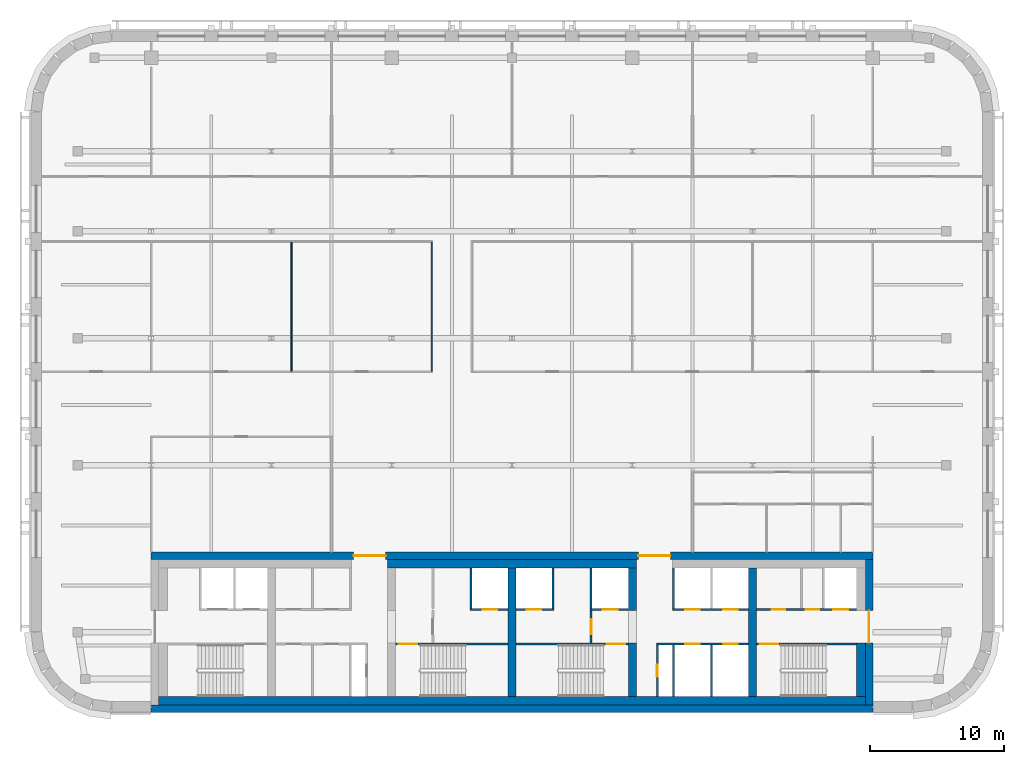
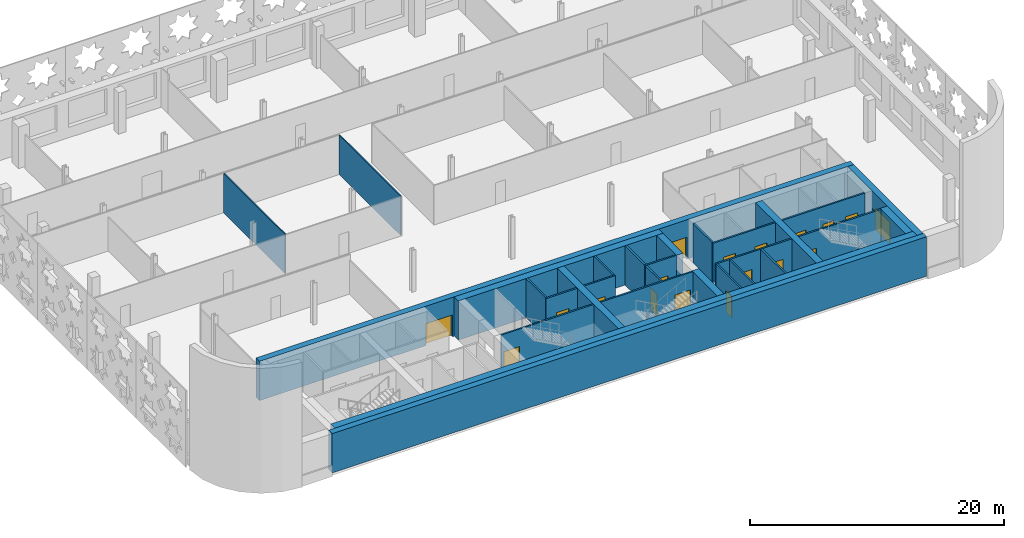
# One storey, part 7 of 16: 29 walls, 18 doors, 18 openings.
"""IFC4 building model written with IfcOpenShell, lengths in metres."""

import ifcopenshell
import ifcopenshell.guid

model = None  # the IFC model being written
_history = None  # IfcOwnerHistory: only IFC2X3 demands one
_inside = {}  # id of a spatial element -> (the spatial element, [elements in it])
_under = {}  # id of a project, library or spatial element -> (it, [spatial elements below it])
_declared = {}  # id of a project -> (the project, [libraries it declares])
_typed = {}  # id of a type object -> (the type object, [elements of that type])
_made_of = {}  # id of a material, layer set ... -> (it, [elements and type objects made of it])


def new_model(schema):
    """Start an empty IFC model of exactly this schema.

    Asked for "IFC4X3", IfcOpenShell would pick the latest addendum, in which some entities
    have other attributes; the version numbers below select the first issue.
    IFC2X3 requires an IfcOwnerHistory on every rooted entity: one is made here for all.
    """
    global model, _history
    if schema == "IFC4X3":
        model = ifcopenshell.file(schema_version=(4, 3, 0, 0))
    else:
        model = ifcopenshell.file(schema=schema)
    _inside.clear()
    _under.clear()
    _declared.clear()
    _typed.clear()
    _made_of.clear()
    _history = None
    if model.schema == "IFC2X3":
        org = make("IfcOrganization", Name="unknown")
        user = make(
            "IfcPersonAndOrganization",
            ThePerson=make("IfcPerson", FamilyName="unknown"),
            TheOrganization=org,
        )
        app = make(
            "IfcApplication",
            ApplicationDeveloper=org,
            Version="unknown",
            ApplicationFullName="unknown",
            ApplicationIdentifier="unknown",
        )
        _history = make(
            "IfcOwnerHistory",
            OwningUser=user,
            OwningApplication=app,
            ChangeAction="ADDED",
            CreationDate=0,
        )
    return model


def make(cls, **values):
    """One entity of the class cls with the attributes given. An attribute that is None is left unset."""
    return model.create_entity(
        cls, **{name: value for name, value in values.items() if value is not None}
    )


def rooted(cls, **values):
    """An entity with a GlobalId (a new one), such as an element, a storey or a relation."""
    return make(cls, GlobalId=ifcopenshell.guid.new(), OwnerHistory=_history, **values)


def si_unit(unit_type, name, prefix=None):
    """IfcSIUnit, for example si_unit("LENGTHUNIT", "METRE", prefix="MILLI")."""
    return make("IfcSIUnit", UnitType=unit_type, Prefix=prefix, Name=name)


def assignment(units):
    """IfcUnitAssignment: the units of a project."""
    return None if units is None else make("IfcUnitAssignment", Units=units)


def point(xyz):
    """IfcCartesianPoint."""
    return None if xyz is None else make("IfcCartesianPoint", Coordinates=xyz)


def direction(xyz):
    """IfcDirection."""
    return None if xyz is None else make("IfcDirection", DirectionRatios=xyz)


def frame(location, z_axis=None, x_axis=None):
    """IfcAxis2Placement3D, a coordinate frame: its origin and axes. An axis left out is left unset."""
    return make(
        "IfcAxis2Placement3D",
        Location=point(location),
        Axis=direction(z_axis),
        RefDirection=direction(x_axis),
    )


def frame_2d(location, x_axis=None):
    """IfcAxis2Placement2D, a coordinate frame in the plane: its origin and x axis."""
    return make(
        "IfcAxis2Placement2D", Location=point(location), RefDirection=direction(x_axis)
    )


def origin():
    """The frame at (0, 0, 0) with its axes left unset."""
    return frame((0.0, 0.0, 0.0))


def place(relative_to, where):
    """IfcLocalPlacement: puts the frame where relative to a parent placement (None: the world)."""
    return make(
        "IfcLocalPlacement", PlacementRelTo=relative_to, RelativePlacement=where
    )


def context(
    kind, dimensions, precision=None, world=None, true_north=None, identifier=None
):
    """IfcGeometricRepresentationContext, for example the 3D "Model" context."""
    return make(
        "IfcGeometricRepresentationContext",
        ContextIdentifier=identifier,
        ContextType=kind,
        CoordinateSpaceDimension=dimensions,
        Precision=precision,
        WorldCoordinateSystem=world,
        TrueNorth=true_north,
    )


def subcontext(parent, identifier, kind, view, scale=None):
    """IfcGeometricRepresentationSubContext, for example "Body" below "Model"."""
    return make(
        "IfcGeometricRepresentationSubContext",
        ContextIdentifier=identifier,
        ContextType=kind,
        ParentContext=parent,
        TargetScale=scale,
        TargetView=view,
    )


def project(units=None, contexts=None):
    """IfcProject with its units and contexts."""
    return rooted(
        "IfcProject",
        Name="project",
        RepresentationContexts=contexts,
        UnitsInContext=assignment(units),
    )


def spatial(cls, under=None, at=None, **own):
    """A site, building, storey or space (cls), placed at a placement, below another one or the project."""
    s = rooted(cls, ObjectPlacement=at, **own)
    if under is not None:
        _under.setdefault(under.id(), (under, []))[1].append(s)
    return s


def profile(cls, at=None, kind="AREA", **sizes):
    """A parametric profile (cls). Its sizes go by their IFC names, for example OverallWidth=200.0."""
    return make(cls, ProfileType=kind, Position=at, **sizes)


def rectangle(**sizes):
    """IfcRectangleProfileDef."""
    return profile("IfcRectangleProfileDef", **sizes)


def extrude(swept, where, along, depth):
    """IfcExtrudedAreaSolid: the profile swept, set in the frame where, extruded along a direction by depth."""
    return make(
        "IfcExtrudedAreaSolid",
        SweptArea=swept,
        Position=where,
        ExtrudedDirection=direction(along),
        Depth=depth,
    )


def shape(context_of_items, identifier, shape_type, items):
    """IfcShapeRepresentation: the items that make up one representation, for example the "Body"."""
    return make(
        "IfcShapeRepresentation",
        ContextOfItems=context_of_items,
        RepresentationIdentifier=identifier,
        RepresentationType=shape_type,
        Items=items,
    )


def material(Name=None, Category=None):
    """IfcMaterial."""
    return make("IfcMaterial", Name=Name, Category=Category)


def layer(
    of_material, thickness, ventilated=None, Name=None, Category=None, Priority=None
):
    """IfcMaterialLayer: one layer of a wall or slab, of a material (None: an air gap)."""
    return make(
        "IfcMaterialLayer",
        Material=of_material,
        LayerThickness=thickness,
        IsVentilated=ventilated,
        Name=Name,
        Category=Category,
        Priority=Priority,
    )


def layer_set(layers, Name=None):
    """IfcMaterialLayerSet."""
    return make("IfcMaterialLayerSet", MaterialLayers=layers, LayerSetName=Name)


def made_of(thing, what):
    """Note that an element or type object is made of a material, layer set ...; save() writes the relation."""
    if what is not None:
        _made_of.setdefault(what.id(), (what, []))[1].append(thing)
    return thing


def type_object(cls, material=None, **own):
    """A type object (cls), such as IfcWallType, which elements share."""
    return made_of(rooted(cls, **own), material)


def element(
    cls,
    number,
    at=None,
    inside=None,
    cuts=None,
    type_object=None,
    material=None,
    context=None,
    identifier="Body",
    shape_type=None,
    held_by="IfcProductDefinitionShape",
    body=None,
    shapes=None,
    **own,
):
    """One element of the class cls, such as IfcWall. Its Tag is "e" and its number.

    at: its placement. inside: the storey or other place that contains it. cuts: it is an
    opening in that element (IfcRelVoidsElement). A single representation is given by context,
    identifier, shape_type and body (its items); several are given by shapes. held_by: the class
    of the entity that holds the representations. save() writes the other relations.
    """
    e = rooted(cls, Tag="e%d" % number, ObjectPlacement=at, **own)
    if body is not None:
        shapes = [shape(context, identifier, shape_type, body)]
    if shapes is not None:
        e.Representation = make(held_by, Representations=shapes)
    if inside is not None:
        _inside.setdefault(inside.id(), (inside, []))[1].append(e)
    if cuts is not None:
        rooted(
            "IfcRelVoidsElement", RelatingBuildingElement=cuts, RelatedOpeningElement=e
        )
    if type_object is not None:
        _typed.setdefault(type_object.id(), (type_object, []))[1].append(e)
    return made_of(e, material)


def fill(opening, filler):
    """IfcRelFillsElement: the door or window that sits in an opening."""
    return rooted(
        "IfcRelFillsElement",
        RelatingOpeningElement=opening,
        RelatedBuildingElement=filler,
    )


def aggregate(whole, parts):
    """IfcRelAggregates: a whole, such as a stair, and the parts it consists of."""
    return rooted("IfcRelAggregates", RelatingObject=whole, RelatedObjects=parts)


def save(model, path):
    """Write the relations noted so far, then the file.

    IfcRelAggregates (storeys below a building ...), IfcRelContainedInSpatialStructure (elements
    in a storey), IfcRelDefinesByType, IfcRelAssociatesMaterial and IfcRelDeclares: one each for
    every whole, place, type object, material and project.
    """
    for whole, parts in _under.values():
        aggregate(whole, parts)
    for where, things in _inside.values():
        rooted(
            "IfcRelContainedInSpatialStructure",
            RelatedElements=things,
            RelatingStructure=where,
        )
    for kind, things in _typed.values():
        rooted("IfcRelDefinesByType", RelatedObjects=things, RelatingType=kind)
    for what, things in _made_of.values():
        rooted("IfcRelAssociatesMaterial", RelatedObjects=things, RelatingMaterial=what)
    for by, libraries in _declared.values():
        rooted("IfcRelDeclares", RelatingContext=by, RelatedDefinitions=libraries)
    model.write(path)


model = new_model("IFC4")

# Units and contexts
model_context = context("Model", 3, precision=1e-05, world=origin(), true_north=direction((0.0, 1.0)))
body_context = subcontext(model_context, "Body", "Model", "MODEL_VIEW")
ifc_project = project(units=[si_unit("LENGTHUNIT", "METRE"), si_unit("AREAUNIT", "SQUARE_METRE"), si_unit("VOLUMEUNIT", "CUBIC_METRE"), si_unit("PLANEANGLEUNIT", "RADIAN"), si_unit("MASSUNIT", "GRAM", prefix="KILO")], contexts=[model_context])

# Site, building, storey
site_placement = place(None, origin())
site = spatial("IfcSite", under=ifc_project, at=site_placement, CompositionType="ELEMENT")
building_placement = place(site_placement, origin())
building = spatial("IfcBuilding", under=site, at=building_placement, Name="Zellij Exchange Tower", CompositionType="ELEMENT")
storey_placement = place(building_placement, frame((0.0, 0.0, 272.5)))
storey = spatial("IfcBuildingStorey", under=building, at=storey_placement, Name="L64", CompositionType="ELEMENT", Elevation=272.5)

# Walls
ifc_material_1 = material(Name="Concrete C50/60", Category="concrete")
ifc_layer_1 = layer(ifc_material_1, 0.60009765625)
ifc_layer_set_1 = layer_set([ifc_layer_1], Name="Concrete C50/60")
wall_type_1 = type_object("IfcWallType", Name="CORE-CW 600 C50/60", PredefinedType="SHEAR", material=ifc_layer_set_1)
wall_1_placement = place(storey_placement, frame((0.0, -12.800048828125, 0.0), z_axis=(0.0, 0.0, 1.0), x_axis=(0.0, 1.0, 0.0)))
element("IfcWall", 1, at=wall_1_placement, inside=storey, type_object=wall_type_1, Name="Core cross wall x 0 L64", PredefinedType="SHEAR", context=body_context, shape_type="SweptSolid", body=[
    extrude(rectangle(XDim=9.60009765625, YDim=0.60009765625, at=frame_2d((4.800048828125, 0.0))), origin(), (0.0, 0.0, 1.0), 3.780029296875),
])
wall_2_placement = place(storey_placement, frame((9.0, -12.800048828125, 0.0), z_axis=(0.0, 0.0, 1.0), x_axis=(0.0, 1.0, 0.0)))
element("IfcWall", 2, at=wall_2_placement, inside=storey, type_object=wall_type_1, Name="Core cross wall pier x 9 a L64", PredefinedType="SHEAR", context=body_context, shape_type="SweptSolid", body=[
    extrude(rectangle(XDim=4.0, YDim=0.60009765625, at=frame_2d((2.0, 0.0))), origin(), (0.0, 0.0, 1.0), 3.780029296875),
])
wall_3_placement = place(storey_placement, frame((9.0, -6.375, 0.0), z_axis=(0.0, 0.0, 1.0), x_axis=(0.0, 1.0, 0.0)))
element("IfcWall", 3, at=wall_3_placement, inside=storey, type_object=wall_type_1, Name="Core cross wall pier x 9 b L64", PredefinedType="SHEAR", context=body_context, shape_type="SweptSolid", body=[
    extrude(rectangle(XDim=3.175048828125, YDim=0.60009765625, at=frame_2d((1.58740234375, 0.0))), origin(), (0.0, 0.0, 1.0), 3.780029296875),
])
wall_4_placement = place(storey_placement, frame((18.0, -12.800048828125, 0.0), z_axis=(0.0, 0.0, 1.0), x_axis=(0.0, 1.0, 0.0)))
element("IfcWall", 4, at=wall_4_placement, inside=storey, type_object=wall_type_1, Name="Core cross wall x 18 L64", PredefinedType="SHEAR", context=body_context, shape_type="SweptSolid", body=[
    extrude(rectangle(XDim=9.60009765625, YDim=0.60009765625, at=frame_2d((4.800048828125, 0.0))), origin(), (0.0, 0.0, 1.0), 3.780029296875),
])
ifc_material_2 = material(Name="Concrete C30/37", Category="concrete")
ifc_layer_2 = layer(ifc_material_2, 0.64990234375)
ifc_layer_set_2 = layer_set([ifc_layer_2], Name="Concrete C30/37")
wall_type_2 = type_object("IfcWallType", Name="CORE-LW 650 C30/37", PredefinedType="SHEAR", material=ifc_layer_set_2)
wall_5_placement = place(storey_placement, frame((-9.300048828125, -2.875, 0.0), z_axis=(0.0, 0.0, 1.0), x_axis=(1.0, 0.0, 0.0)))
element("IfcWall", 5, at=wall_5_placement, inside=storey, type_object=wall_type_2, Name="Core wall lining front.1 L64", PredefinedType="SHEAR", context=body_context, shape_type="SweptSolid", body=[
    extrude(rectangle(XDim=18.60009765625, YDim=0.64990234375, at=frame_2d((9.300048828125, 0.0))), origin(), (0.0, 0.0, 1.0), 3.780029296875),
])
wall_6_placement = place(storey_placement, frame((-26.449951171875, -13.125, 0.0), z_axis=(0.0, 0.0, 1.0), x_axis=(1.0, 0.0, 0.0)))
element("IfcWall", 6, at=wall_6_placement, inside=storey, type_object=wall_type_2, Name="Core wall lining rear.0 L64", PredefinedType="SHEAR", context=body_context, shape_type="SweptSolid", body=[
    extrude(rectangle(XDim=52.89990234375, YDim=0.64990234375, at=frame_2d((26.449951171875, 0.0))), origin(), (0.0, 0.0, 1.0), 3.780029296875),
])
wall_7_placement = place(storey_placement, frame((26.125, -12.800048828125, 0.0), z_axis=(0.0, 0.0, 1.0), x_axis=(0.0, 1.0, 0.0)))
element("IfcWall", 7, at=wall_7_placement, inside=storey, type_object=wall_type_2, Name="Core wall lining end e.0 L64", PredefinedType="SHEAR", context=body_context, shape_type="SweptSolid", body=[
    extrude(rectangle(XDim=4.0, YDim=0.64990234375, at=frame_2d((2.0, 0.0))), origin(), (0.0, 0.0, 1.0), 3.780029296875),
])

# Wall, opening, door
ifc_material_3 = material(Name="Gypsum shaft wall system")
ifc_layer_3 = layer(ifc_material_3, 0.14990234375)
ifc_layer_set_3 = layer_set([ifc_layer_3], Name="Gypsum shaft wall system")
wall_type_3 = type_object("IfcWallType", Name="CORE-PW 150 Firefighting lobby wall", PredefinedType="PARTITIONING", material=ifc_layer_set_3)
wall_8_placement = place(storey_placement, frame((5.925048828125, -8.800048828125, 0.0), z_axis=(0.0, 0.0, 1.0), x_axis=(0.0, 1.0, 0.0)))
wall_8 = element("IfcWall", 8, at=wall_8_placement, inside=storey, type_object=wall_type_3, Name="Firefighting lobby wall L64", PredefinedType="PARTITIONING", context=body_context, shape_type="SweptSolid", body=[
    extrude(rectangle(XDim=2.425048828125, YDim=0.14990234375, at=frame_2d((1.21240234375, 0.0))), origin(), (0.0, 0.0, 1.0), 3.780029296875),
])
opening_1_placement = place(wall_8_placement, frame((0.662109375, 0.0, 0.0)))
opening_1 = element("IfcOpeningElement", 9, at=opening_1_placement, cuts=wall_8, Name="Opening CA-34.15", PredefinedType="OPENING", context=body_context, shape_type="SweptSolid", body=[
    extrude(rectangle(XDim=1.10009765625, YDim=2.10009765625, at=frame_2d((0.550048828125, 1.050048828125))), frame((0.0, 0.0869140625, 0.0), z_axis=(0.0, -1.0, 0.0), x_axis=(1.0, 0.0, 0.0)), (0.0, 0.0, 1.0), 0.173828125),
])
ifc_material_4 = material(Name="Hollow metal fire door")
door_type_1 = type_object("IfcDoorType", Name="CORE-D F Firefighting lobby door 1100x2100 1 HR", OperationType="NOTDEFINED", PredefinedType="DOOR", material=ifc_material_4)
door_1_placement = place(opening_1_placement, origin())
door_1 = element("IfcDoor", 10, at=door_1_placement, inside=storey, type_object=door_type_1, Name="Firefighting lobby door CA-34.15", OperationType="SINGLE_SWING_RIGHT", OverallHeight=2.10009765625, OverallWidth=1.10009765625, PredefinedType="DOOR", context=body_context, shape_type="SweptSolid", body=[
    extrude(rectangle(XDim=1.10009765625, YDim=2.10009765625, at=frame_2d((0.550048828125, 1.050048828125))), frame((0.0, 0.02490234375, 0.0), z_axis=(0.0, -1.0, 0.0), x_axis=(1.0, 0.0, 0.0)), (0.0, 0.0, 1.0), 0.050048828125),
])
fill(opening_1, door_1)

ifc_material_5 = material(Name="Gypsum board partition")
ifc_layer_4 = layer(ifc_material_5, 0.14990234375)
ifc_layer_set_4 = layer_set([ifc_layer_4], Name="Gypsum board partition")
wall_type_4 = type_object("IfcWallType", Name="CORE-PW 150 Lift lobby wall", PredefinedType="PARTITIONING", material=ifc_layer_set_4)
wall_9_placement = place(storey_placement, frame((10.875, -12.800048828125, 0.0), z_axis=(0.0, 0.0, 1.0), x_axis=(0.0, 1.0, 0.0)))
wall_9 = element("IfcWall", 11, at=wall_9_placement, inside=storey, type_object=wall_type_4, Name="Lift lobby wall L64", PredefinedType="PARTITIONING", context=body_context, shape_type="SweptSolid", body=[
    extrude(rectangle(XDim=3.85009765625, YDim=0.14990234375, at=frame_2d((1.925048828125, 0.0))), origin(), (0.0, 0.0, 1.0), 3.780029296875),
])
opening_2_placement = place(wall_9_placement, frame((1.47509765625, 0.0, 0.0)))
opening_2 = element("IfcOpeningElement", 12, at=opening_2_placement, cuts=wall_9, Name="Opening CA-34.19", PredefinedType="OPENING", context=body_context, shape_type="SweptSolid", body=[
    extrude(rectangle(XDim=0.89990234375, YDim=2.10009765625, at=frame_2d((0.449951171875, 1.050048828125))), frame((0.0, 0.0869140625, 0.0), z_axis=(0.0, -1.0, 0.0), x_axis=(1.0, 0.0, 0.0)), (0.0, 0.0, 1.0), 0.173828125),
])
door_type_2 = type_object("IfcDoorType", Name="CORE-D RD Riser door 900x2100 1.5 HR", OperationType="NOTDEFINED", PredefinedType="DOOR", material=ifc_material_4)
door_2_placement = place(opening_2_placement, origin())
door_2 = element("IfcDoor", 13, at=door_2_placement, inside=storey, type_object=door_type_2, Name="Riser door CA-34.19", OperationType="SINGLE_SWING_LEFT", OverallHeight=2.10009765625, OverallWidth=0.89990234375, PredefinedType="DOOR", context=body_context, shape_type="SweptSolid", body=[
    extrude(rectangle(XDim=0.89990234375, YDim=2.10009765625, at=frame_2d((0.449951171875, 1.050048828125))), frame((0.0, 0.02490234375, 0.0), z_axis=(0.0, -1.0, 0.0), x_axis=(1.0, 0.0, 0.0)), (0.0, 0.0, 1.0), 0.050048828125),
])
fill(opening_2, door_2)

# Walls
ifc_layer_5 = layer(ifc_material_3, 0.14990234375)
ifc_layer_set_5 = layer_set([ifc_layer_5], Name="Gypsum shaft wall system")
wall_type_5 = type_object("IfcWallType", Name="CORE-PW 150 Lift shaft wall", PredefinedType="PARTITIONING", material=ifc_layer_set_5)
for number, where, z_axis, x_axis, name in (
    (14, (-3.074951171875, -6.22509765625, 0.0), (0.0, 0.0, 1.0), (0.0, 1.0, 0.0), "Lift shaft wall L64"),
    (15, (3.074951171875, -6.22509765625, 0.0), (0.0, 0.0, 1.0), (0.0, 1.0, 0.0), "Lift shaft wall L64"),
    (16, (5.925048828125, -6.22509765625, 0.0), (0.0, 0.0, 1.0), (0.0, 1.0, 0.0), "Lift shaft wall L64"),
    (17, (12.074951171875, -6.22509765625, 0.0), (0.0, 0.0, 1.0), (0.0, 1.0, 0.0), "Lift shaft wall L64"),
):
    element("IfcWall", number, at=place(storey_placement, frame(where, z_axis=z_axis, x_axis=x_axis)), inside=storey, type_object=wall_type_5, Name=name, PredefinedType="PARTITIONING", context=body_context, shape_type="SweptSolid", body=[
        extrude(rectangle(XDim=3.025146484375, YDim=0.14990234375, at=frame_2d((1.5126953125, 0.0))), origin(), (0.0, 0.0, 1.0), 3.780029296875),
    ])
for number, where, z_axis, x_axis, name in (
    (18, (12.074951171875, -12.800048828125, 0.0), (0.0, 0.0, 1.0), (0.0, 1.0, 0.0), "Lift shaft wall L64"),
    (19, (14.925048828125, -12.800048828125, 0.0), (0.0, 0.0, 1.0), (0.0, 1.0, 0.0), "Lift shaft wall L64"),
):
    element("IfcWall", number, at=place(storey_placement, frame(where, z_axis=z_axis, x_axis=x_axis)), inside=storey, type_object=wall_type_5, Name=name, PredefinedType="PARTITIONING", context=body_context, shape_type="SweptSolid", body=[
        extrude(rectangle(XDim=3.85009765625, YDim=0.14990234375, at=frame_2d((1.925048828125, 0.0))), origin(), (0.0, 0.0, 1.0), 3.780029296875),
    ])

# Wall, opening, door
wall_10_placement = place(storey_placement, frame((-3.14990234375, -6.300048828125, 0.0), z_axis=(0.0, 0.0, 1.0), x_axis=(1.0, 0.0, 0.0)))
wall_10 = element("IfcWall", 20, at=wall_10_placement, inside=storey, type_object=wall_type_5, Name="Lift shaft wall L64", PredefinedType="PARTITIONING", context=body_context, shape_type="SweptSolid", body=[
    extrude(rectangle(XDim=2.849853515625, YDim=0.14990234375, at=frame_2d((1.4248046875, 0.0))), origin(), (0.0, 0.0, 1.0), 3.780029296875),
])
opening_3_placement = place(wall_10_placement, frame((0.949951171875, 0.0, 0.0)))
opening_3 = element("IfcOpeningElement", 21, at=opening_3_placement, cuts=wall_10, Name="Opening CA-34.13", PredefinedType="OPENING", context=body_context, shape_type="SweptSolid", body=[
    extrude(rectangle(XDim=1.10009765625, YDim=2.10009765625, at=frame_2d((0.550048828125, 1.050048828125))), frame((0.0, 0.0869140625, 0.0), z_axis=(0.0, -1.0, 0.0), x_axis=(1.0, 0.0, 0.0)), (0.0, 0.0, 1.0), 0.173828125),
])
door_type_3 = type_object("IfcDoorType", Name="CORE-D LD Lift landing door 1100x2100 1.5 HR", OperationType="NOTDEFINED", PredefinedType="DOOR", material=ifc_material_4)
door_3_placement = place(opening_3_placement, origin())
door_3 = element("IfcDoor", 22, at=door_3_placement, inside=storey, type_object=door_type_3, Name="Lift landing door CA-34.13", OperationType="SLIDING_TO_LEFT", OverallHeight=2.10009765625, OverallWidth=1.10009765625, PredefinedType="DOOR", context=body_context, shape_type="SweptSolid", body=[
    extrude(rectangle(XDim=1.10009765625, YDim=2.10009765625, at=frame_2d((0.550048828125, 1.050048828125))), frame((0.0, 0.02490234375, 0.0), z_axis=(0.0, -1.0, 0.0), x_axis=(1.0, 0.0, 0.0)), (0.0, 0.0, 1.0), 0.050048828125),
])
fill(opening_3, door_3)

wall_11_placement = place(storey_placement, frame((0.300048828125, -6.300048828125, 0.0), z_axis=(0.0, 0.0, 1.0), x_axis=(1.0, 0.0, 0.0)))
wall_11 = element("IfcWall", 23, at=wall_11_placement, inside=storey, type_object=wall_type_5, Name="Lift shaft wall L64", PredefinedType="PARTITIONING", context=body_context, shape_type="SweptSolid", body=[
    extrude(rectangle(XDim=2.849853515625, YDim=0.14990234375, at=frame_2d((1.4248046875, 0.0))), origin(), (0.0, 0.0, 1.0), 3.780029296875),
])
opening_4_placement = place(wall_11_placement, frame((0.800048828125, 0.0, 0.0)))
opening_4 = element("IfcOpeningElement", 24, at=opening_4_placement, cuts=wall_11, Name="Opening CA-34.14", PredefinedType="OPENING", context=body_context, shape_type="SweptSolid", body=[
    extrude(rectangle(XDim=1.10009765625, YDim=2.10009765625, at=frame_2d((0.550048828125, 1.050048828125))), frame((0.0, 0.0869140625, 0.0), z_axis=(0.0, -1.0, 0.0), x_axis=(1.0, 0.0, 0.0)), (0.0, 0.0, 1.0), 0.173828125),
])
door_4_placement = place(opening_4_placement, origin())
door_4 = element("IfcDoor", 25, at=door_4_placement, inside=storey, type_object=door_type_3, Name="Lift landing door CA-34.14", OperationType="SLIDING_TO_RIGHT", OverallHeight=2.10009765625, OverallWidth=1.10009765625, PredefinedType="DOOR", context=body_context, shape_type="SweptSolid", body=[
    extrude(rectangle(XDim=1.10009765625, YDim=2.10009765625, at=frame_2d((0.550048828125, 1.050048828125))), frame((0.0, 0.02490234375, 0.0), z_axis=(0.0, -1.0, 0.0), x_axis=(1.0, 0.0, 0.0)), (0.0, 0.0, 1.0), 0.050048828125),
])
fill(opening_4, door_4)

wall_12_placement = place(storey_placement, frame((5.85009765625, -6.300048828125, 0.0), z_axis=(0.0, 0.0, 1.0), x_axis=(1.0, 0.0, 0.0)))
wall_12 = element("IfcWall", 26, at=wall_12_placement, inside=storey, type_object=wall_type_5, Name="Lift shaft wall L64", PredefinedType="PARTITIONING", context=body_context, shape_type="SweptSolid", body=[
    extrude(rectangle(XDim=2.849853515625, YDim=0.14990234375, at=frame_2d((1.4248046875, 0.0))), origin(), (0.0, 0.0, 1.0), 3.780029296875),
])
opening_5_placement = place(wall_12_placement, frame((0.949951171875, 0.0, 0.0)))
opening_5 = element("IfcOpeningElement", 27, at=opening_5_placement, cuts=wall_12, Name="Opening CA-34.16", PredefinedType="OPENING", context=body_context, shape_type="SweptSolid", body=[
    extrude(rectangle(XDim=1.10009765625, YDim=2.10009765625, at=frame_2d((0.550048828125, 1.050048828125))), frame((0.0, 0.0869140625, 0.0), z_axis=(0.0, -1.0, 0.0), x_axis=(1.0, 0.0, 0.0)), (0.0, 0.0, 1.0), 0.173828125),
])
door_5_placement = place(opening_5_placement, origin())
door_5 = element("IfcDoor", 28, at=door_5_placement, inside=storey, type_object=door_type_3, Name="Lift landing door CA-34.16", OperationType="SLIDING_TO_RIGHT", OverallHeight=2.10009765625, OverallWidth=1.10009765625, PredefinedType="DOOR", context=body_context, shape_type="SweptSolid", body=[
    extrude(rectangle(XDim=1.10009765625, YDim=2.10009765625, at=frame_2d((0.550048828125, 1.050048828125))), frame((0.0, 0.02490234375, 0.0), z_axis=(0.0, -1.0, 0.0), x_axis=(1.0, 0.0, 0.0)), (0.0, 0.0, 1.0), 0.050048828125),
])
fill(opening_5, door_5)

# Wall, openings, doors
wall_13_placement = place(storey_placement, frame((12.0, -6.300048828125, 0.0), z_axis=(0.0, 0.0, 1.0), x_axis=(1.0, 0.0, 0.0)))
wall_13 = element("IfcWall", 29, at=wall_13_placement, inside=storey, type_object=wall_type_5, Name="Lift shaft wall L64", PredefinedType="PARTITIONING", context=body_context, shape_type="SweptSolid", body=[
    extrude(rectangle(XDim=5.699951171875, YDim=0.14990234375, at=frame_2d((2.85009765625, 0.0))), origin(), (0.0, 0.0, 1.0), 3.780029296875),
])
opening_6_placement = place(wall_13_placement, frame((0.949951171875, 0.0, 0.0)))
opening_6 = element("IfcOpeningElement", 30, at=opening_6_placement, cuts=wall_13, Name="Opening CA-34.21", PredefinedType="OPENING", context=body_context, shape_type="SweptSolid", body=[
    extrude(rectangle(XDim=1.10009765625, YDim=2.10009765625, at=frame_2d((0.550048828125, 1.050048828125))), frame((0.0, 0.0869140625, 0.0), z_axis=(0.0, -1.0, 0.0), x_axis=(1.0, 0.0, 0.0)), (0.0, 0.0, 1.0), 0.173828125),
])
opening_7_placement = place(wall_13_placement, frame((3.800048828125, 0.0, 0.0)))
opening_7 = element("IfcOpeningElement", 31, at=opening_7_placement, cuts=wall_13, Name="Opening CA-34.23", PredefinedType="OPENING", context=body_context, shape_type="SweptSolid", body=[
    extrude(rectangle(XDim=1.10009765625, YDim=2.10009765625, at=frame_2d((0.550048828125, 1.050048828125))), frame((0.0, 0.0869140625, 0.0), z_axis=(0.0, -1.0, 0.0), x_axis=(1.0, 0.0, 0.0)), (0.0, 0.0, 1.0), 0.173828125),
])
door_6_placement = place(opening_6_placement, origin())
door_6 = element("IfcDoor", 32, at=door_6_placement, inside=storey, type_object=door_type_3, Name="Lift landing door CA-34.21", OperationType="SLIDING_TO_LEFT", OverallHeight=2.10009765625, OverallWidth=1.10009765625, PredefinedType="DOOR", context=body_context, shape_type="SweptSolid", body=[
    extrude(rectangle(XDim=1.10009765625, YDim=2.10009765625, at=frame_2d((0.550048828125, 1.050048828125))), frame((0.0, 0.02490234375, 0.0), z_axis=(0.0, -1.0, 0.0), x_axis=(1.0, 0.0, 0.0)), (0.0, 0.0, 1.0), 0.050048828125),
])
fill(opening_6, door_6)
door_7_placement = place(opening_7_placement, origin())
door_7 = element("IfcDoor", 33, at=door_7_placement, inside=storey, type_object=door_type_3, Name="Lift landing door CA-34.23", OperationType="SLIDING_TO_LEFT", OverallHeight=2.10009765625, OverallWidth=1.10009765625, PredefinedType="DOOR", context=body_context, shape_type="SweptSolid", body=[
    extrude(rectangle(XDim=1.10009765625, YDim=2.10009765625, at=frame_2d((0.550048828125, 1.050048828125))), frame((0.0, 0.02490234375, 0.0), z_axis=(0.0, -1.0, 0.0), x_axis=(1.0, 0.0, 0.0)), (0.0, 0.0, 1.0), 0.050048828125),
])
fill(opening_7, door_7)

wall_14_placement = place(storey_placement, frame((18.300048828125, -6.300048828125, 0.0), z_axis=(0.0, 0.0, 1.0), x_axis=(1.0, 0.0, 0.0)))
wall_14 = element("IfcWall", 34, at=wall_14_placement, inside=storey, type_object=wall_type_5, Name="Lift shaft wall L64", PredefinedType="PARTITIONING", context=body_context, shape_type="SweptSolid", body=[
    extrude(rectangle(XDim=7.5, YDim=0.14990234375, at=frame_2d((3.75, 0.0))), origin(), (0.0, 0.0, 1.0), 3.780029296875),
])
opening_8_placement = place(wall_14_placement, frame((1.14990234375, 0.0, 0.0)))
opening_8 = element("IfcOpeningElement", 35, at=opening_8_placement, cuts=wall_14, Name="Opening CA-34.25", PredefinedType="OPENING", context=body_context, shape_type="SweptSolid", body=[
    extrude(rectangle(XDim=1.0, YDim=2.10009765625, at=frame_2d((0.5, 1.050048828125))), frame((0.0, 0.0869140625, 0.0), z_axis=(0.0, -1.0, 0.0), x_axis=(1.0, 0.0, 0.0)), (0.0, 0.0, 1.0), 0.173828125),
])
opening_9_placement = place(wall_14_placement, frame((3.699951171875, 0.0, 0.0)))
opening_9 = element("IfcOpeningElement", 36, at=opening_9_placement, cuts=wall_14, Name="Opening CA-34.26", PredefinedType="OPENING", context=body_context, shape_type="SweptSolid", body=[
    extrude(rectangle(XDim=1.0, YDim=2.10009765625, at=frame_2d((0.5, 1.050048828125))), frame((0.0, 0.0869140625, 0.0), z_axis=(0.0, -1.0, 0.0), x_axis=(1.0, 0.0, 0.0)), (0.0, 0.0, 1.0), 0.173828125),
])
opening_10_placement = place(wall_14_placement, frame((5.75, 0.0, 0.0)))
opening_10 = element("IfcOpeningElement", 37, at=opening_10_placement, cuts=wall_14, Name="Opening CA-34.27", PredefinedType="OPENING", context=body_context, shape_type="SweptSolid", body=[
    extrude(rectangle(XDim=1.10009765625, YDim=2.10009765625, at=frame_2d((0.550048828125, 1.050048828125))), frame((0.0, 0.0869140625, 0.0), z_axis=(0.0, -1.0, 0.0), x_axis=(1.0, 0.0, 0.0)), (0.0, 0.0, 1.0), 0.173828125),
])
door_type_4 = type_object("IfcDoorType", Name="CORE-D CD Core room door 1000x2100 1 HR", OperationType="NOTDEFINED", PredefinedType="DOOR", material=ifc_material_4)
door_8_placement = place(opening_8_placement, origin())
door_8 = element("IfcDoor", 38, at=door_8_placement, inside=storey, type_object=door_type_4, Name="Core room door CA-34.25", OperationType="SINGLE_SWING_LEFT", OverallHeight=2.10009765625, OverallWidth=1.0, PredefinedType="DOOR", context=body_context, shape_type="SweptSolid", body=[
    extrude(rectangle(XDim=1.0, YDim=2.10009765625, at=frame_2d((0.5, 1.050048828125))), frame((0.0, 0.02490234375, 0.0), z_axis=(0.0, -1.0, 0.0), x_axis=(1.0, 0.0, 0.0)), (0.0, 0.0, 1.0), 0.050048828125),
])
fill(opening_8, door_8)
door_9_placement = place(opening_9_placement, origin())
door_9 = element("IfcDoor", 39, at=door_9_placement, inside=storey, type_object=door_type_4, Name="Core room door CA-34.26", OperationType="SINGLE_SWING_RIGHT", OverallHeight=2.10009765625, OverallWidth=1.0, PredefinedType="DOOR", context=body_context, shape_type="SweptSolid", body=[
    extrude(rectangle(XDim=1.0, YDim=2.10009765625, at=frame_2d((0.5, 1.050048828125))), frame((0.0, 0.02490234375, 0.0), z_axis=(0.0, -1.0, 0.0), x_axis=(1.0, 0.0, 0.0)), (0.0, 0.0, 1.0), 0.050048828125),
])
fill(opening_9, door_9)
door_10_placement = place(opening_10_placement, origin())
door_10 = element("IfcDoor", 40, at=door_10_placement, inside=storey, type_object=door_type_3, Name="Lift landing door CA-34.27", OperationType="SLIDING_TO_LEFT", OverallHeight=2.10009765625, OverallWidth=1.10009765625, PredefinedType="DOOR", context=body_context, shape_type="SweptSolid", body=[
    extrude(rectangle(XDim=1.10009765625, YDim=2.10009765625, at=frame_2d((0.550048828125, 1.050048828125))), frame((0.0, 0.02490234375, 0.0), z_axis=(0.0, -1.0, 0.0), x_axis=(1.0, 0.0, 0.0)), (0.0, 0.0, 1.0), 0.050048828125),
])
fill(opening_10, door_10)

wall_15_placement = place(storey_placement, frame((10.800048828125, -8.875, 0.0), z_axis=(0.0, 0.0, 1.0), x_axis=(1.0, 0.0, 0.0)))
wall_15 = element("IfcWall", 41, at=wall_15_placement, inside=storey, type_object=wall_type_5, Name="Lift shaft wall L64", PredefinedType="PARTITIONING", context=body_context, shape_type="SweptSolid", body=[
    extrude(rectangle(XDim=6.89990234375, YDim=0.14990234375, at=frame_2d((3.449951171875, 0.0))), origin(), (0.0, 0.0, 1.0), 3.780029296875),
])
opening_11_placement = place(wall_15_placement, frame((2.14990234375, 0.0, 0.0)))
opening_11 = element("IfcOpeningElement", 42, at=opening_11_placement, cuts=wall_15, Name="Opening CA-34.20", PredefinedType="OPENING", context=body_context, shape_type="SweptSolid", body=[
    extrude(rectangle(XDim=1.10009765625, YDim=2.10009765625, at=frame_2d((0.550048828125, 1.050048828125))), frame((0.0, 0.0869140625, 0.0), z_axis=(0.0, -1.0, 0.0), x_axis=(1.0, 0.0, 0.0)), (0.0, 0.0, 1.0), 0.173828125),
])
opening_12_placement = place(wall_15_placement, frame((5.0, 0.0, 0.0)))
opening_12 = element("IfcOpeningElement", 43, at=opening_12_placement, cuts=wall_15, Name="Opening CA-34.22", PredefinedType="OPENING", context=body_context, shape_type="SweptSolid", body=[
    extrude(rectangle(XDim=1.10009765625, YDim=2.10009765625, at=frame_2d((0.550048828125, 1.050048828125))), frame((0.0, 0.0869140625, 0.0), z_axis=(0.0, -1.0, 0.0), x_axis=(1.0, 0.0, 0.0)), (0.0, 0.0, 1.0), 0.173828125),
])
door_11_placement = place(opening_11_placement, origin())
door_11 = element("IfcDoor", 44, at=door_11_placement, inside=storey, type_object=door_type_3, Name="Lift landing door CA-34.20", OperationType="SLIDING_TO_RIGHT", OverallHeight=2.10009765625, OverallWidth=1.10009765625, PredefinedType="DOOR", context=body_context, shape_type="SweptSolid", body=[
    extrude(rectangle(XDim=1.10009765625, YDim=2.10009765625, at=frame_2d((0.550048828125, 1.050048828125))), frame((0.0, 0.02490234375, 0.0), z_axis=(0.0, -1.0, 0.0), x_axis=(1.0, 0.0, 0.0)), (0.0, 0.0, 1.0), 0.050048828125),
])
fill(opening_11, door_11)
door_12_placement = place(opening_12_placement, origin())
door_12 = element("IfcDoor", 45, at=door_12_placement, inside=storey, type_object=door_type_3, Name="Lift landing door CA-34.22", OperationType="SLIDING_TO_RIGHT", OverallHeight=2.10009765625, OverallWidth=1.10009765625, PredefinedType="DOOR", context=body_context, shape_type="SweptSolid", body=[
    extrude(rectangle(XDim=1.10009765625, YDim=2.10009765625, at=frame_2d((0.550048828125, 1.050048828125))), frame((0.0, 0.02490234375, 0.0), z_axis=(0.0, -1.0, 0.0), x_axis=(1.0, 0.0, 0.0)), (0.0, 0.0, 1.0), 0.050048828125),
])
fill(opening_12, door_12)

ifc_layer_6 = layer(ifc_material_1, 0.550048828125)
ifc_layer_set_6 = layer_set([ifc_layer_6], Name="Concrete C50/60")
wall_type_6 = type_object("IfcWallType", Name="CORE-SW 550 C50/60", PredefinedType="SHEAR", material=ifc_layer_set_6)
wall_16_placement = place(storey_placement, frame((-27.0, -2.27490234375, 0.0), z_axis=(0.0, 0.0, 1.0), x_axis=(1.0, 0.0, 0.0)))
wall_16 = element("IfcWall", 46, at=wall_16_placement, inside=storey, type_object=wall_type_6, Name="Core shear wall front L64", PredefinedType="SHEAR", context=body_context, shape_type="SweptSolid", body=[
    extrude(rectangle(XDim=54.0, YDim=0.550048828125, at=frame_2d((27.0, 0.0))), origin(), (0.0, 0.0, 1.0), 3.780029296875),
])
opening_13_placement = place(wall_16_placement, frame((15.14990234375, 0.0, 0.0)))
opening_13 = element("IfcOpeningElement", 47, at=opening_13_placement, cuts=wall_16, Name="Opening CA-34.10", PredefinedType="OPENING", context=body_context, shape_type="SweptSolid", body=[
    extrude(rectangle(XDim=2.39990234375, YDim=2.10009765625, at=frame_2d((1.199951171875, 1.050048828125))), frame((0.0, 0.287109375, 0.0), z_axis=(0.0, -1.0, 0.0), x_axis=(1.0, 0.0, 0.0)), (0.0, 0.0, 1.0), 0.573974609375),
])
opening_14_placement = place(wall_16_placement, frame((36.449951171875, 0.0, 0.0)))
opening_14 = element("IfcOpeningElement", 48, at=opening_14_placement, cuts=wall_16, Name="Opening CA-34.18", PredefinedType="OPENING", context=body_context, shape_type="SweptSolid", body=[
    extrude(rectangle(XDim=2.39990234375, YDim=2.10009765625, at=frame_2d((1.199951171875, 1.050048828125))), frame((0.0, 0.287109375, 0.0), z_axis=(0.0, -1.0, 0.0), x_axis=(1.0, 0.0, 0.0)), (0.0, 0.0, 1.0), 0.573974609375),
])
door_type_5 = type_object("IfcDoorType", Name="CORE-D CE Core entrance door 2400x2100 20 MIN", OperationType="NOTDEFINED", PredefinedType="DOOR", material=ifc_material_4)
door_13_placement = place(opening_13_placement, origin())
door_13 = element("IfcDoor", 49, at=door_13_placement, inside=storey, type_object=door_type_5, Name="Core entrance door CA-34.10", OperationType="DOUBLE_DOOR_SINGLE_SWING", OverallHeight=2.10009765625, OverallWidth=2.39990234375, PredefinedType="DOOR", context=body_context, shape_type="SweptSolid", body=[
    extrude(rectangle(XDim=2.39990234375, YDim=2.10009765625, at=frame_2d((1.199951171875, 1.050048828125))), frame((0.0, 0.02490234375, 0.0), z_axis=(0.0, -1.0, 0.0), x_axis=(1.0, 0.0, 0.0)), (0.0, 0.0, 1.0), 0.050048828125),
])
fill(opening_13, door_13)
door_14_placement = place(opening_14_placement, origin())
door_14 = element("IfcDoor", 50, at=door_14_placement, inside=storey, type_object=door_type_5, Name="Core entrance door CA-34.18", OperationType="DOUBLE_DOOR_SINGLE_SWING", OverallHeight=2.10009765625, OverallWidth=2.39990234375, PredefinedType="DOOR", context=body_context, shape_type="SweptSolid", body=[
    extrude(rectangle(XDim=2.39990234375, YDim=2.10009765625, at=frame_2d((1.199951171875, 1.050048828125))), frame((0.0, 0.02490234375, 0.0), z_axis=(0.0, -1.0, 0.0), x_axis=(1.0, 0.0, 0.0)), (0.0, 0.0, 1.0), 0.050048828125),
])
fill(opening_14, door_14)

# Wall
wall_17_placement = place(storey_placement, frame((-27.0, -13.72509765625, 0.0), z_axis=(0.0, 0.0, 1.0), x_axis=(1.0, 0.0, 0.0)))
element("IfcWall", 51, at=wall_17_placement, inside=storey, type_object=wall_type_6, Name="Core shear wall rear L64", PredefinedType="SHEAR", context=body_context, shape_type="SweptSolid", body=[
    extrude(rectangle(XDim=54.0, YDim=0.550048828125, at=frame_2d((27.0, 0.0))), origin(), (0.0, 0.0, 1.0), 3.780029296875),
])

# Wall, opening, door
wall_18_placement = place(storey_placement, frame((26.72509765625, -13.449951171875, 0.0), z_axis=(0.0, 0.0, 1.0), x_axis=(0.0, 1.0, 0.0)))
wall_18 = element("IfcWall", 52, at=wall_18_placement, inside=storey, type_object=wall_type_6, Name="Core shear wall end e L64", PredefinedType="SHEAR", context=body_context, shape_type="SweptSolid", body=[
    extrude(rectangle(XDim=10.89990234375, YDim=0.550048828125, at=frame_2d((5.449951171875, 0.0))), origin(), (0.0, 0.0, 1.0), 3.780029296875),
])
opening_15_placement = place(wall_18_placement, frame((4.662109375, 0.0, 0.0)))
opening_15 = element("IfcOpeningElement", 53, at=opening_15_placement, cuts=wall_18, Name="Opening CA-34.28", PredefinedType="OPENING", context=body_context, shape_type="SweptSolid", body=[
    extrude(rectangle(XDim=2.39990234375, YDim=2.10009765625, at=frame_2d((1.199951171875, 1.050048828125))), frame((0.0, 0.287109375, 0.0), z_axis=(0.0, -1.0, 0.0), x_axis=(1.0, 0.0, 0.0)), (0.0, 0.0, 1.0), 0.573974609375),
])
door_15_placement = place(opening_15_placement, origin())
door_15 = element("IfcDoor", 54, at=door_15_placement, inside=storey, type_object=door_type_5, Name="Core entrance door CA-34.28", OperationType="DOUBLE_DOOR_SINGLE_SWING", OverallHeight=2.10009765625, OverallWidth=2.39990234375, PredefinedType="DOOR", context=body_context, shape_type="SweptSolid", body=[
    extrude(rectangle(XDim=2.39990234375, YDim=2.10009765625, at=frame_2d((1.199951171875, 1.050048828125))), frame((0.0, 0.02490234375, 0.0), z_axis=(0.0, -1.0, 0.0), x_axis=(1.0, 0.0, 0.0)), (0.0, 0.0, 1.0), 0.050048828125),
])
fill(opening_15, door_15)

ifc_layer_7 = layer(ifc_material_1, 0.14990234375)
ifc_layer_set_7 = layer_set([ifc_layer_7], Name="Concrete C50/60")
wall_type_7 = type_object("IfcWallType", Name="CORE-SWS 150 C50/60", PredefinedType="SHEAR", material=ifc_layer_set_7)
wall_19_placement = place(storey_placement, frame((-8.699951171875, -8.875, 0.0), z_axis=(0.0, 0.0, 1.0), x_axis=(1.0, 0.0, 0.0)))
wall_19 = element("IfcWall", 55, at=wall_19_placement, inside=storey, type_object=wall_type_7, Name="Stair enclosure wall L64", PredefinedType="SHEAR", context=body_context, shape_type="SweptSolid", body=[
    extrude(rectangle(XDim=8.39990234375, YDim=0.14990234375, at=frame_2d((4.199951171875, 0.0))), origin(), (0.0, 0.0, 1.0), 3.780029296875),
])
opening_16_placement = place(wall_19_placement, frame((0.22509765625, 0.0, 0.0)))
opening_16 = element("IfcOpeningElement", 56, at=opening_16_placement, cuts=wall_19, Name="Opening CA-34.11", PredefinedType="OPENING", context=body_context, shape_type="SweptSolid", body=[
    extrude(rectangle(XDim=1.39990234375, YDim=2.10009765625, at=frame_2d((0.699951171875, 1.050048828125))), frame((0.0, 0.0869140625, 0.0), z_axis=(0.0, -1.0, 0.0), x_axis=(1.0, 0.0, 0.0)), (0.0, 0.0, 1.0), 0.173828125),
])
door_type_6 = type_object("IfcDoorType", Name="CORE-D SD Stair door 1400x2100 1.5 HR", OperationType="NOTDEFINED", PredefinedType="DOOR", material=ifc_material_4)
door_16_placement = place(opening_16_placement, origin())
door_16 = element("IfcDoor", 57, at=door_16_placement, inside=storey, type_object=door_type_6, Name="Stair door CA-34.11", OperationType="DOUBLE_DOOR_SINGLE_SWING", OverallHeight=2.10009765625, OverallWidth=1.39990234375, PredefinedType="DOOR", context=body_context, shape_type="SweptSolid", body=[
    extrude(rectangle(XDim=1.39990234375, YDim=2.10009765625, at=frame_2d((0.699951171875, 1.050048828125))), frame((0.0, 0.02490234375, 0.0), z_axis=(0.0, -1.0, 0.0), x_axis=(1.0, 0.0, 0.0)), (0.0, 0.0, 1.0), 0.050048828125),
])
fill(opening_16, door_16)

wall_20_placement = place(storey_placement, frame((0.300048828125, -8.875, 0.0), z_axis=(0.0, 0.0, 1.0), x_axis=(1.0, 0.0, 0.0)))
wall_20 = element("IfcWall", 58, at=wall_20_placement, inside=storey, type_object=wall_type_7, Name="Stair enclosure wall L64", PredefinedType="SHEAR", context=body_context, shape_type="SweptSolid", body=[
    extrude(rectangle(XDim=8.39990234375, YDim=0.14990234375, at=frame_2d((4.199951171875, 0.0))), origin(), (0.0, 0.0, 1.0), 3.780029296875),
])
opening_17_placement = place(wall_20_placement, frame((6.77490234375, 0.0, 0.0)))
opening_17 = element("IfcOpeningElement", 59, at=opening_17_placement, cuts=wall_20, Name="Opening CA-34.17", PredefinedType="OPENING", context=body_context, shape_type="SweptSolid", body=[
    extrude(rectangle(XDim=1.39990234375, YDim=2.10009765625, at=frame_2d((0.699951171875, 1.050048828125))), frame((0.0, 0.0869140625, 0.0), z_axis=(0.0, -1.0, 0.0), x_axis=(1.0, 0.0, 0.0)), (0.0, 0.0, 1.0), 0.173828125),
])
door_17_placement = place(opening_17_placement, origin())
door_17 = element("IfcDoor", 60, at=door_17_placement, inside=storey, type_object=door_type_6, Name="Stair door CA-34.17", OperationType="DOUBLE_DOOR_SINGLE_SWING", OverallHeight=2.10009765625, OverallWidth=1.39990234375, PredefinedType="DOOR", context=body_context, shape_type="SweptSolid", body=[
    extrude(rectangle(XDim=1.39990234375, YDim=2.10009765625, at=frame_2d((0.699951171875, 1.050048828125))), frame((0.0, 0.02490234375, 0.0), z_axis=(0.0, -1.0, 0.0), x_axis=(1.0, 0.0, 0.0)), (0.0, 0.0, 1.0), 0.050048828125),
])
fill(opening_17, door_17)

wall_21_placement = place(storey_placement, frame((18.300048828125, -8.875, 0.0), z_axis=(0.0, 0.0, 1.0), x_axis=(1.0, 0.0, 0.0)))
wall_21 = element("IfcWall", 61, at=wall_21_placement, inside=storey, type_object=wall_type_7, Name="Stair enclosure wall L64", PredefinedType="SHEAR", context=body_context, shape_type="SweptSolid", body=[
    extrude(rectangle(XDim=7.5, YDim=0.14990234375, at=frame_2d((3.75, 0.0))), origin(), (0.0, 0.0, 1.0), 3.780029296875),
])
opening_18_placement = place(wall_21_placement, frame((0.22509765625, 0.0, 0.0)))
opening_18 = element("IfcOpeningElement", 62, at=opening_18_placement, cuts=wall_21, Name="Opening CA-34.24", PredefinedType="OPENING", context=body_context, shape_type="SweptSolid", body=[
    extrude(rectangle(XDim=1.39990234375, YDim=2.10009765625, at=frame_2d((0.699951171875, 1.050048828125))), frame((0.0, 0.0869140625, 0.0), z_axis=(0.0, -1.0, 0.0), x_axis=(1.0, 0.0, 0.0)), (0.0, 0.0, 1.0), 0.173828125),
])
door_18_placement = place(opening_18_placement, origin())
door_18 = element("IfcDoor", 63, at=door_18_placement, inside=storey, type_object=door_type_6, Name="Stair door CA-34.24", OperationType="DOUBLE_DOOR_SINGLE_SWING", OverallHeight=2.10009765625, OverallWidth=1.39990234375, PredefinedType="DOOR", context=body_context, shape_type="SweptSolid", body=[
    extrude(rectangle(XDim=1.39990234375, YDim=2.10009765625, at=frame_2d((0.699951171875, 1.050048828125))), frame((0.0, 0.02490234375, 0.0), z_axis=(0.0, -1.0, 0.0), x_axis=(1.0, 0.0, 0.0)), (0.0, 0.0, 1.0), 0.050048828125),
])
fill(opening_18, door_18)

# Walls
ifc_material_6 = material(Name="Gypsum board partition on steel studs", Category="steel")
ifc_layer_8 = layer(ifc_material_6, 0.10009765625)
ifc_layer_set_8 = layer_set([ifc_layer_8], Name="Gypsum board partition on steel studs")
wall_type_8 = type_object("IfcWallType", Name="FIT-PARTITION-100", PredefinedType="PARTITIONING", material=ifc_layer_set_8)
for number, where, z_axis, x_axis, name in (
    (64, (-16.5, 11.550048828125, 0.0), (0.0, 0.0, 1.0), (0.0, 1.0, 0.0), "FIT-PARTITION-100 015"),
    (65, (-6.0, 11.550048828125, 0.0), (0.0, 0.0, 1.0), (0.0, 1.0, 0.0), "FIT-PARTITION-100 016"),
):
    element("IfcWall", number, at=place(storey_placement, frame(where, z_axis=z_axis, x_axis=x_axis)), inside=storey, type_object=wall_type_8, Name=name, PredefinedType="PARTITIONING", context=body_context, shape_type="SweptSolid", body=[
        extrude(rectangle(XDim=9.639892578125, YDim=0.10009765625, at=frame_2d((4.81982421875, 0.0))), origin(), (0.0, 0.0, 1.0), 3.780029296875),
    ])

save(model, "model.ifc")
